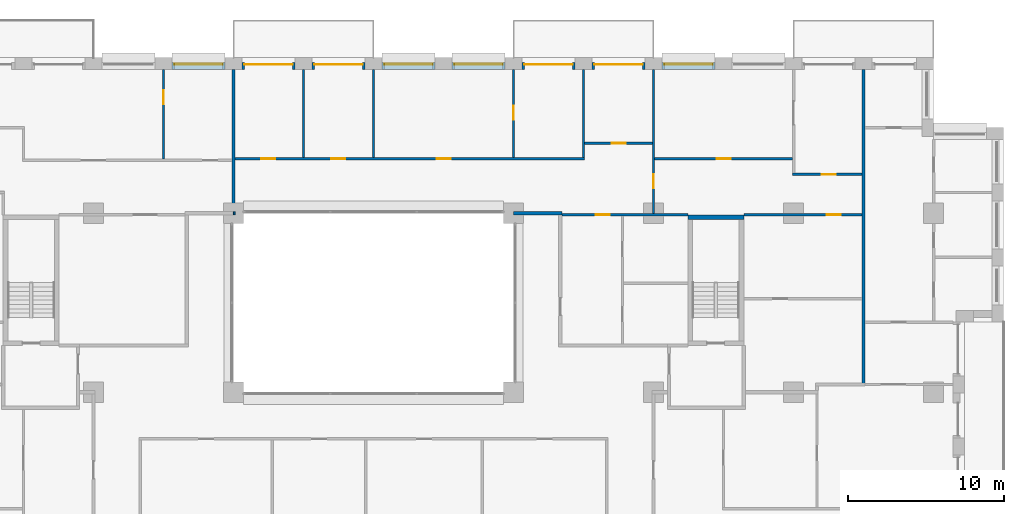
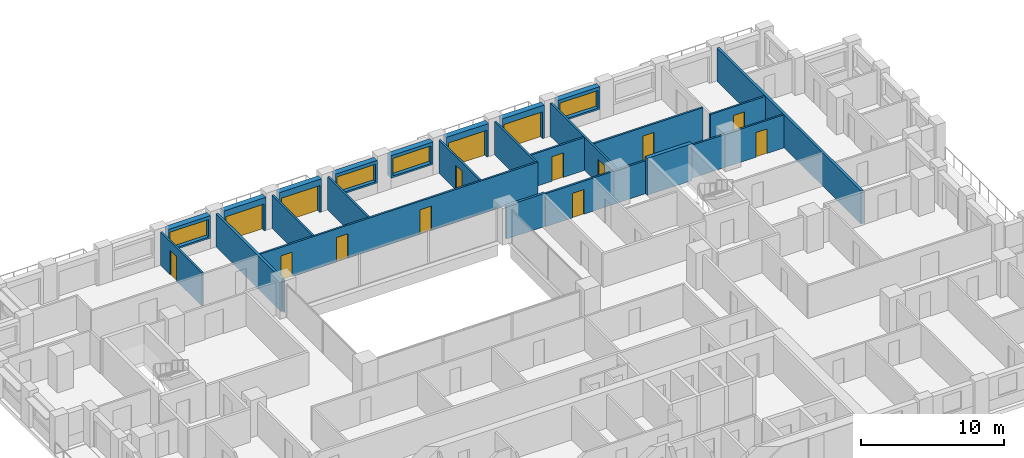
# One storey, part 13 of 17: 25 walls, 15 doors, 4 windows, 19 openings.
"""IFC4 building model written with IfcOpenShell, lengths in metres."""

from ifc_helpers import new_model, si_unit, direction, frame, frame_2d, origin, place, context, subcontext, project, spatial, rectangle, extrude, material, layer, layer_set, type_object, element, fill, save


model = new_model("IFC4")

# Units and contexts
model_context = context("Model", 3, precision=1e-05, world=origin(), true_north=direction((0.0, 1.0)))
body_context = subcontext(model_context, "Body", "Model", "MODEL_VIEW")
ifc_project = project(units=[si_unit("LENGTHUNIT", "METRE"), si_unit("AREAUNIT", "SQUARE_METRE"), si_unit("VOLUMEUNIT", "CUBIC_METRE"), si_unit("PLANEANGLEUNIT", "RADIAN"), si_unit("MASSUNIT", "GRAM", prefix="KILO")], contexts=[model_context])

# Site, building, storey
site_placement = place(None, origin())
site = spatial("IfcSite", under=ifc_project, at=site_placement, CompositionType="ELEMENT")
building_placement = place(site_placement, origin())
building = spatial("IfcBuilding", under=site, at=building_placement, Name="Brigalow Station Residences", CompositionType="ELEMENT")
storey_placement = place(building_placement, frame((0.0, 0.0, 111.89990234375)))
storey = spatial("IfcBuildingStorey", under=building, at=storey_placement, Name="L32", CompositionType="ELEMENT", Elevation=111.89990234375)

# Wall, opening, window
ifc_material_1 = material(Name="Clay brick masonry", Category="masonry")
ifc_layer_1 = layer(ifc_material_1, 0.449951171875)
ifc_layer_set_1 = layer_set([ifc_layer_1], Name="BRICK INFILL WALL 450")
wall_type_1 = type_object("IfcWallType", Name="BRICK INFILL WALL 450", PredefinedType="SOLIDWALL", material=ifc_layer_set_1)
wall_1_placement = place(storey_placement, frame((57.949951171875, 44.97509765625, 0.900146484375), z_axis=(0.0, 0.0, 1.0), x_axis=(-1.0, 0.0, 0.0)))
wall_1 = element("IfcWall", 1, at=wall_1_placement, inside=storey, type_object=wall_type_1, Name="L32/ewall/W-L32-26", PredefinedType="SOLIDWALL", context=body_context, shape_type="SweptSolid", body=[
    extrude(rectangle(XDim=3.39990234375, YDim=0.449951171875, at=frame_2d((1.699951171875, 0.0))), origin(), (0.0, 0.0, 1.0), 1.929931640625),
])
opening_1_placement = place(wall_1_placement, frame((0.14990234375, 0.0, 0.14990234375)))
opening_1 = element("IfcOpeningElement", 2, at=opening_1_placement, cuts=wall_1, Name="Opening WT-8", PredefinedType="OPENING", context=body_context, shape_type="SweptSolid", body=[
    extrude(rectangle(XDim=3.10009765625, YDim=1.5, at=frame_2d((1.550048828125, 0.75))), frame((0.0, 0.23486328125, 0.0), z_axis=(0.0, -1.0, 0.0), x_axis=(1.0, 0.0, 0.0)), (0.0, 0.0, 1.0), 0.469970703125),
])
ifc_material_2 = material(Name="Anodised aluminium frame with double glazing", Category="aluminium")
window_type = type_object("IfcWindowType", Name="WINDOW 3100x1500", PartitioningType="SINGLE_PANEL", PredefinedType="WINDOW", material=ifc_material_2)
window_1_placement = place(opening_1_placement, origin())
window_1 = element("IfcWindow", 3, at=window_1_placement, inside=storey, type_object=window_type, Name="L32/window/W-L32-26", OverallHeight=1.5, OverallWidth=3.10009765625, PartitioningType="SINGLE_PANEL", PredefinedType="WINDOW", context=body_context, shape_type="SweptSolid", body=[
    extrude(rectangle(XDim=3.10009765625, YDim=1.5, at=frame_2d((1.550048828125, 0.75))), frame((0.0, -0.06494140625, 0.0), z_axis=(0.0, -1.0, 0.0), x_axis=(1.0, 0.0, 0.0)), (0.0, 0.0, 1.0), 0.06005859375),
])
fill(opening_1, window_1)

# Wall, opening, door
wall_2_placement = place(storey_placement, frame((53.449951171875, 44.97509765625, 0.0), z_axis=(0.0, 0.0, 1.0), x_axis=(-1.0, 0.0, 0.0)))
wall_2 = element("IfcWall", 4, at=wall_2_placement, inside=storey, type_object=wall_type_1, Name="L32/ewall/W-L32-27", PredefinedType="SOLIDWALL", context=body_context, shape_type="SweptSolid", body=[
    extrude(rectangle(XDim=3.39990234375, YDim=0.449951171875, at=frame_2d((1.699951171875, 0.0))), origin(), (0.0, 0.0, 1.0), 2.830078125),
])
opening_2_placement = place(wall_2_placement, frame((0.14990234375, 0.0, 0.0)))
opening_2 = element("IfcOpeningElement", 5, at=opening_2_placement, cuts=wall_2, Name="Opening D-B3100", PredefinedType="OPENING", context=body_context, shape_type="SweptSolid", body=[
    extrude(rectangle(XDim=3.10009765625, YDim=2.300048828125, at=frame_2d((1.550048828125, 1.14990234375))), frame((0.0, 0.23486328125, 0.0), z_axis=(0.0, -1.0, 0.0), x_axis=(1.0, 0.0, 0.0)), (0.0, 0.0, 1.0), 0.469970703125),
])
ifc_material_3 = material(Name="Anodised aluminium frame with double glazing", Category="aluminium")
door_type_1 = type_object("IfcDoorType", Name="BALCONY SLIDING DOOR 3100x2300", OperationType="SLIDING_TO_LEFT", PredefinedType="DOOR", material=ifc_material_3)
door_1_placement = place(opening_2_placement, origin())
door_1 = element("IfcDoor", 6, at=door_1_placement, inside=storey, type_object=door_type_1, Name="L32/balcony-door/W-L32-27", OperationType="SLIDING_TO_LEFT", OverallHeight=2.300048828125, OverallWidth=3.10009765625, PredefinedType="DOOR", context=body_context, shape_type="SweptSolid", body=[
    extrude(rectangle(XDim=3.10009765625, YDim=2.300048828125, at=frame_2d((1.550048828125, 1.14990234375))), frame((0.0, -0.06982421875, 0.0), z_axis=(0.0, -1.0, 0.0), x_axis=(1.0, 0.0, 0.0)), (0.0, 0.0, 1.0), 0.050048828125),
])
fill(opening_2, door_1)

wall_3_placement = place(storey_placement, frame((48.949951171875, 44.97509765625, 0.0), z_axis=(0.0, 0.0, 1.0), x_axis=(-1.0, 0.0, 0.0)))
wall_3 = element("IfcWall", 7, at=wall_3_placement, inside=storey, type_object=wall_type_1, Name="L32/ewall/W-L32-28", PredefinedType="SOLIDWALL", context=body_context, shape_type="SweptSolid", body=[
    extrude(rectangle(XDim=3.39990234375, YDim=0.449951171875, at=frame_2d((1.699951171875, 0.0))), origin(), (0.0, 0.0, 1.0), 2.830078125),
])
opening_3_placement = place(wall_3_placement, frame((0.14990234375, 0.0, 0.0)))
opening_3 = element("IfcOpeningElement", 8, at=opening_3_placement, cuts=wall_3, Name="Opening D-B3100", PredefinedType="OPENING", context=body_context, shape_type="SweptSolid", body=[
    extrude(rectangle(XDim=3.10009765625, YDim=2.300048828125, at=frame_2d((1.550048828125, 1.14990234375))), frame((0.0, 0.23486328125, 0.0), z_axis=(0.0, -1.0, 0.0), x_axis=(1.0, 0.0, 0.0)), (0.0, 0.0, 1.0), 0.469970703125),
])
door_2_placement = place(opening_3_placement, origin())
door_2 = element("IfcDoor", 9, at=door_2_placement, inside=storey, type_object=door_type_1, Name="L32/balcony-door/W-L32-28", OperationType="SLIDING_TO_LEFT", OverallHeight=2.300048828125, OverallWidth=3.10009765625, PredefinedType="DOOR", context=body_context, shape_type="SweptSolid", body=[
    extrude(rectangle(XDim=3.10009765625, YDim=2.300048828125, at=frame_2d((1.550048828125, 1.14990234375))), frame((0.0, -0.06982421875, 0.0), z_axis=(0.0, -1.0, 0.0), x_axis=(1.0, 0.0, 0.0)), (0.0, 0.0, 1.0), 0.050048828125),
])
fill(opening_3, door_2)

# Wall, opening, window
wall_4_placement = place(storey_placement, frame((44.449951171875, 44.97509765625, 0.900146484375), z_axis=(0.0, 0.0, 1.0), x_axis=(-1.0, 0.0, 0.0)))
wall_4 = element("IfcWall", 10, at=wall_4_placement, inside=storey, type_object=wall_type_1, Name="L32/ewall/W-L32-29", PredefinedType="SOLIDWALL", context=body_context, shape_type="SweptSolid", body=[
    extrude(rectangle(XDim=3.39990234375, YDim=0.449951171875, at=frame_2d((1.699951171875, 0.0))), origin(), (0.0, 0.0, 1.0), 1.929931640625),
])
opening_4_placement = place(wall_4_placement, frame((0.14990234375, 0.0, 0.14990234375)))
opening_4 = element("IfcOpeningElement", 11, at=opening_4_placement, cuts=wall_4, Name="Opening WT-8", PredefinedType="OPENING", context=body_context, shape_type="SweptSolid", body=[
    extrude(rectangle(XDim=3.10009765625, YDim=1.5, at=frame_2d((1.550048828125, 0.75))), frame((0.0, 0.23486328125, 0.0), z_axis=(0.0, -1.0, 0.0), x_axis=(1.0, 0.0, 0.0)), (0.0, 0.0, 1.0), 0.469970703125),
])
window_2_placement = place(opening_4_placement, origin())
window_2 = element("IfcWindow", 12, at=window_2_placement, inside=storey, type_object=window_type, Name="L32/window/W-L32-29", OverallHeight=1.5, OverallWidth=3.10009765625, PartitioningType="SINGLE_PANEL", PredefinedType="WINDOW", context=body_context, shape_type="SweptSolid", body=[
    extrude(rectangle(XDim=3.10009765625, YDim=1.5, at=frame_2d((1.550048828125, 0.75))), frame((0.0, -0.06494140625, 0.0), z_axis=(0.0, -1.0, 0.0), x_axis=(1.0, 0.0, 0.0)), (0.0, 0.0, 1.0), 0.06005859375),
])
fill(opening_4, window_2)

wall_5_placement = place(storey_placement, frame((39.949951171875, 44.97509765625, 0.900146484375), z_axis=(0.0, 0.0, 1.0), x_axis=(-1.0, 0.0, 0.0)))
wall_5 = element("IfcWall", 13, at=wall_5_placement, inside=storey, type_object=wall_type_1, Name="L32/ewall/W-L32-30", PredefinedType="SOLIDWALL", context=body_context, shape_type="SweptSolid", body=[
    extrude(rectangle(XDim=3.39990234375, YDim=0.449951171875, at=frame_2d((1.699951171875, 0.0))), origin(), (0.0, 0.0, 1.0), 1.929931640625),
])
opening_5_placement = place(wall_5_placement, frame((0.14990234375, 0.0, 0.14990234375)))
opening_5 = element("IfcOpeningElement", 14, at=opening_5_placement, cuts=wall_5, Name="Opening WT-8", PredefinedType="OPENING", context=body_context, shape_type="SweptSolid", body=[
    extrude(rectangle(XDim=3.10009765625, YDim=1.5, at=frame_2d((1.550048828125, 0.75))), frame((0.0, 0.23486328125, 0.0), z_axis=(0.0, -1.0, 0.0), x_axis=(1.0, 0.0, 0.0)), (0.0, 0.0, 1.0), 0.469970703125),
])
window_3_placement = place(opening_5_placement, origin())
window_3 = element("IfcWindow", 15, at=window_3_placement, inside=storey, type_object=window_type, Name="L32/window/W-L32-30", OverallHeight=1.5, OverallWidth=3.10009765625, PartitioningType="SINGLE_PANEL", PredefinedType="WINDOW", context=body_context, shape_type="SweptSolid", body=[
    extrude(rectangle(XDim=3.10009765625, YDim=1.5, at=frame_2d((1.550048828125, 0.75))), frame((0.0, -0.06494140625, 0.0), z_axis=(0.0, -1.0, 0.0), x_axis=(1.0, 0.0, 0.0)), (0.0, 0.0, 1.0), 0.06005859375),
])
fill(opening_5, window_3)

# Wall, opening, door
wall_6_placement = place(storey_placement, frame((35.449951171875, 44.97509765625, 0.0), z_axis=(0.0, 0.0, 1.0), x_axis=(-1.0, 0.0, 0.0)))
wall_6 = element("IfcWall", 16, at=wall_6_placement, inside=storey, type_object=wall_type_1, Name="L32/ewall/W-L32-31", PredefinedType="SOLIDWALL", context=body_context, shape_type="SweptSolid", body=[
    extrude(rectangle(XDim=3.39990234375, YDim=0.449951171875, at=frame_2d((1.699951171875, 0.0))), origin(), (0.0, 0.0, 1.0), 2.830078125),
])
opening_6_placement = place(wall_6_placement, frame((0.14990234375, 0.0, 0.0)))
opening_6 = element("IfcOpeningElement", 17, at=opening_6_placement, cuts=wall_6, Name="Opening D-B3100", PredefinedType="OPENING", context=body_context, shape_type="SweptSolid", body=[
    extrude(rectangle(XDim=3.10009765625, YDim=2.300048828125, at=frame_2d((1.550048828125, 1.14990234375))), frame((0.0, 0.23486328125, 0.0), z_axis=(0.0, -1.0, 0.0), x_axis=(1.0, 0.0, 0.0)), (0.0, 0.0, 1.0), 0.469970703125),
])
door_3_placement = place(opening_6_placement, origin())
door_3 = element("IfcDoor", 18, at=door_3_placement, inside=storey, type_object=door_type_1, Name="L32/balcony-door/W-L32-31", OperationType="SLIDING_TO_LEFT", OverallHeight=2.300048828125, OverallWidth=3.10009765625, PredefinedType="DOOR", context=body_context, shape_type="SweptSolid", body=[
    extrude(rectangle(XDim=3.10009765625, YDim=2.300048828125, at=frame_2d((1.550048828125, 1.14990234375))), frame((0.0, -0.06982421875, 0.0), z_axis=(0.0, -1.0, 0.0), x_axis=(1.0, 0.0, 0.0)), (0.0, 0.0, 1.0), 0.050048828125),
])
fill(opening_6, door_3)

wall_7_placement = place(storey_placement, frame((30.949951171875, 44.97509765625, 0.0), z_axis=(0.0, 0.0, 1.0), x_axis=(-1.0, 0.0, 0.0)))
wall_7 = element("IfcWall", 19, at=wall_7_placement, inside=storey, type_object=wall_type_1, Name="L32/ewall/W-L32-32", PredefinedType="SOLIDWALL", context=body_context, shape_type="SweptSolid", body=[
    extrude(rectangle(XDim=3.39990234375, YDim=0.449951171875, at=frame_2d((1.699951171875, 0.0))), origin(), (0.0, 0.0, 1.0), 2.830078125),
])
opening_7_placement = place(wall_7_placement, frame((0.14990234375, 0.0, 0.0)))
opening_7 = element("IfcOpeningElement", 20, at=opening_7_placement, cuts=wall_7, Name="Opening D-B3100", PredefinedType="OPENING", context=body_context, shape_type="SweptSolid", body=[
    extrude(rectangle(XDim=3.10009765625, YDim=2.300048828125, at=frame_2d((1.550048828125, 1.14990234375))), frame((0.0, 0.23486328125, 0.0), z_axis=(0.0, -1.0, 0.0), x_axis=(1.0, 0.0, 0.0)), (0.0, 0.0, 1.0), 0.469970703125),
])
door_4_placement = place(opening_7_placement, origin())
door_4 = element("IfcDoor", 21, at=door_4_placement, inside=storey, type_object=door_type_1, Name="L32/balcony-door/W-L32-32", OperationType="SLIDING_TO_LEFT", OverallHeight=2.300048828125, OverallWidth=3.10009765625, PredefinedType="DOOR", context=body_context, shape_type="SweptSolid", body=[
    extrude(rectangle(XDim=3.10009765625, YDim=2.300048828125, at=frame_2d((1.550048828125, 1.14990234375))), frame((0.0, -0.06982421875, 0.0), z_axis=(0.0, -1.0, 0.0), x_axis=(1.0, 0.0, 0.0)), (0.0, 0.0, 1.0), 0.050048828125),
])
fill(opening_7, door_4)

# Wall, opening, window
wall_8_placement = place(storey_placement, frame((26.449951171875, 44.97509765625, 0.900146484375), z_axis=(0.0, 0.0, 1.0), x_axis=(-1.0, 0.0, 0.0)))
wall_8 = element("IfcWall", 22, at=wall_8_placement, inside=storey, type_object=wall_type_1, Name="L32/ewall/W-L32-33", PredefinedType="SOLIDWALL", context=body_context, shape_type="SweptSolid", body=[
    extrude(rectangle(XDim=3.39990234375, YDim=0.449951171875, at=frame_2d((1.699951171875, 0.0))), origin(), (0.0, 0.0, 1.0), 1.929931640625),
])
opening_8_placement = place(wall_8_placement, frame((0.14990234375, 0.0, 0.14990234375)))
opening_8 = element("IfcOpeningElement", 23, at=opening_8_placement, cuts=wall_8, Name="Opening WT-8", PredefinedType="OPENING", context=body_context, shape_type="SweptSolid", body=[
    extrude(rectangle(XDim=3.10009765625, YDim=1.5, at=frame_2d((1.550048828125, 0.75))), frame((0.0, 0.23486328125, 0.0), z_axis=(0.0, -1.0, 0.0), x_axis=(1.0, 0.0, 0.0)), (0.0, 0.0, 1.0), 0.469970703125),
])
window_4_placement = place(opening_8_placement, origin())
window_4 = element("IfcWindow", 24, at=window_4_placement, inside=storey, type_object=window_type, Name="L32/window/W-L32-33", OverallHeight=1.5, OverallWidth=3.10009765625, PartitioningType="SINGLE_PANEL", PredefinedType="WINDOW", context=body_context, shape_type="SweptSolid", body=[
    extrude(rectangle(XDim=3.10009765625, YDim=1.5, at=frame_2d((1.550048828125, 0.75))), frame((0.0, -0.06494140625, 0.0), z_axis=(0.0, -1.0, 0.0), x_axis=(1.0, 0.0, 0.0)), (0.0, 0.0, 1.0), 0.06005859375),
])
fill(opening_8, window_4)

# Wall
ifc_material_4 = material(Name="Concrete C65", Category="concrete")
ifc_layer_2 = layer(ifc_material_4, 0.300048828125)
ifc_layer_set_2 = layer_set([ifc_layer_2], Name="CORE SHEAR WALL 300 C65")
wall_type_2 = type_object("IfcWallType", Name="CORE SHEAR WALL 300 C65", PredefinedType="SHEAR", material=ifc_layer_set_2)
wall_9_placement = place(storey_placement, frame((56.199951171875, 35.25, 0.0), z_axis=(0.0, 0.0, 1.0), x_axis=(1.0, 0.0, 0.0)))
element("IfcWall", 25, at=wall_9_placement, inside=storey, type_object=wall_type_2, Name="CORE WALL ST-S3-N L32", PredefinedType="SHEAR", context=body_context, shape_type="SweptSolid", body=[
    extrude(rectangle(XDim=3.60009765625, YDim=0.300048828125, at=frame_2d((1.800048828125, 0.0))), origin(), (0.0, 0.0, 1.0), 3.150146484375),
])

# Wall, opening, door
ifc_material_5 = material(Name="Plasterboard on steel stud partition", Category="steel")
ifc_layer_3 = layer(ifc_material_5, 0.14990234375)
ifc_layer_set_3 = layer_set([ifc_layer_3], Name="FLAT PARTITION 150")
wall_type_3 = type_object("IfcWallType", Name="FLAT PARTITION 150", PredefinedType="PARTITIONING", material=ifc_layer_set_3)
wall_10_placement = place(storey_placement, frame((48.10009765625, 35.39990234375, 0.0), z_axis=(0.0, 0.0, 1.0), x_axis=(1.0, 0.0, 0.0)))
wall_10 = element("IfcWall", 26, at=wall_10_placement, inside=storey, type_object=wall_type_3, Name="PW-2D25", PredefinedType="PARTITIONING", context=body_context, shape_type="SweptSolid", body=[
    extrude(rectangle(XDim=8.099853515625, YDim=0.14990234375, at=frame_2d((4.0498046875, 0.0))), origin(), (0.0, 0.0, 1.0), 2.830078125),
])
opening_9_placement = place(wall_10_placement, frame((2.199951171875, 0.0, 0.0)))
opening_9 = element("IfcOpeningElement", 27, at=opening_9_placement, cuts=wall_10, Name="Opening D-2D20", PredefinedType="OPENING", context=body_context, shape_type="SweptSolid", body=[
    extrude(rectangle(XDim=0.89990234375, YDim=2.10009765625, at=frame_2d((0.449951171875, 1.050048828125))), frame((0.0, 0.0849609375, 0.0), z_axis=(0.0, -1.0, 0.0), x_axis=(1.0, 0.0, 0.0)), (0.0, 0.0, 1.0), 0.169921875),
])
ifc_material_6 = material(Name="Solid-core timber door leaf", Category="wood")
door_type_2 = type_object("IfcDoorType", Name="INTERNAL DOOR 900 x 2100", OperationType="SINGLE_SWING_LEFT", PredefinedType="DOOR", material=ifc_material_6)
door_5_placement = place(opening_9_placement, frame((0.89990234375, 0.0, 0.0), z_axis=(0.0, 0.0, 1.0), x_axis=(-1.0, 0.0, 0.0)))
door_5 = element("IfcDoor", 28, at=door_5_placement, inside=storey, type_object=door_type_2, Name="D-2D20", OperationType="SINGLE_SWING_LEFT", OverallHeight=2.10009765625, OverallWidth=0.89990234375, PredefinedType="DOOR", context=body_context, shape_type="SweptSolid", body=[
    extrude(rectangle(XDim=0.89990234375, YDim=2.10009765625, at=frame_2d((0.449951171875, 1.050048828125))), frame((0.0, 0.02490234375, 0.0), z_axis=(0.0, -1.0, 0.0), x_axis=(1.0, 0.0, 0.0)), (0.0, 0.0, 1.0), 0.050048828125),
])
fill(opening_9, door_5)

wall_11_placement = place(storey_placement, frame((59.800048828125, 35.39990234375, 0.0), z_axis=(0.0, 0.0, 1.0), x_axis=(1.0, 0.0, 0.0)))
wall_11 = element("IfcWall", 29, at=wall_11_placement, inside=storey, type_object=wall_type_3, Name="PW-2D26", PredefinedType="PARTITIONING", context=body_context, shape_type="SweptSolid", body=[
    extrude(rectangle(XDim=7.599853515625, YDim=0.14990234375, at=frame_2d((3.7998046875, 0.0))), origin(), (0.0, 0.0, 1.0), 2.830078125),
])
opening_10_placement = place(wall_11_placement, frame((5.324951171875, 0.0, 0.0)))
opening_10 = element("IfcOpeningElement", 30, at=opening_10_placement, cuts=wall_11, Name="Opening D-2D30", PredefinedType="OPENING", context=body_context, shape_type="SweptSolid", body=[
    extrude(rectangle(XDim=0.89990234375, YDim=2.10009765625, at=frame_2d((0.449951171875, 1.050048828125))), frame((0.0, 0.0849609375, 0.0), z_axis=(0.0, -1.0, 0.0), x_axis=(1.0, 0.0, 0.0)), (0.0, 0.0, 1.0), 0.169921875),
])
door_6_placement = place(opening_10_placement, frame((0.89990234375, 0.0, 0.0), z_axis=(0.0, 0.0, 1.0), x_axis=(-1.0, 0.0, 0.0)))
door_6 = element("IfcDoor", 31, at=door_6_placement, inside=storey, type_object=door_type_2, Name="D-2D30", OperationType="SINGLE_SWING_LEFT", OverallHeight=2.10009765625, OverallWidth=0.89990234375, PredefinedType="DOOR", context=body_context, shape_type="SweptSolid", body=[
    extrude(rectangle(XDim=0.89990234375, YDim=2.10009765625, at=frame_2d((0.449951171875, 1.050048828125))), frame((0.0, 0.02490234375, 0.0), z_axis=(0.0, -1.0, 0.0), x_axis=(1.0, 0.0, 0.0)), (0.0, 0.0, 1.0), 0.050048828125),
])
fill(opening_10, door_6)

# Wall, openings, doors
wall_12_placement = place(storey_placement, frame((27.10009765625, 39.0, 0.0), z_axis=(0.0, 0.0, 1.0), x_axis=(1.0, 0.0, 0.0)))
wall_12 = element("IfcWall", 32, at=wall_12_placement, inside=storey, type_object=wall_type_3, Name="PW-2D30", PredefinedType="PARTITIONING", context=body_context, shape_type="SweptSolid", body=[
    extrude(rectangle(XDim=22.474853515625, YDim=0.14990234375, at=frame_2d((11.2373046875, 0.0))), origin(), (0.0, 0.0, 1.0), 2.830078125),
])
opening_11_placement = place(wall_12_placement, frame((1.699951171875, 0.0, 0.0)))
opening_11 = element("IfcOpeningElement", 33, at=opening_11_placement, cuts=wall_12, Name="Opening D-2D21", PredefinedType="OPENING", context=body_context, shape_type="SweptSolid", body=[
    extrude(rectangle(XDim=0.89990234375, YDim=2.10009765625, at=frame_2d((0.449951171875, 1.050048828125))), frame((0.0, 0.0849609375, 0.0), z_axis=(0.0, -1.0, 0.0), x_axis=(1.0, 0.0, 0.0)), (0.0, 0.0, 1.0), 0.169921875),
])
opening_12_placement = place(wall_12_placement, frame((6.199951171875, 0.0, 0.0)))
opening_12 = element("IfcOpeningElement", 34, at=opening_12_placement, cuts=wall_12, Name="Opening D-2D22", PredefinedType="OPENING", context=body_context, shape_type="SweptSolid", body=[
    extrude(rectangle(XDim=0.89990234375, YDim=2.10009765625, at=frame_2d((0.449951171875, 1.050048828125))), frame((0.0, 0.0849609375, 0.0), z_axis=(0.0, -1.0, 0.0), x_axis=(1.0, 0.0, 0.0)), (0.0, 0.0, 1.0), 0.169921875),
])
opening_13_placement = place(wall_12_placement, frame((12.949951171875, 0.0, 0.0)))
opening_13 = element("IfcOpeningElement", 35, at=opening_13_placement, cuts=wall_12, Name="Opening D-2D23", PredefinedType="OPENING", context=body_context, shape_type="SweptSolid", body=[
    extrude(rectangle(XDim=0.89990234375, YDim=2.10009765625, at=frame_2d((0.449951171875, 1.050048828125))), frame((0.0, 0.0849609375, 0.0), z_axis=(0.0, -1.0, 0.0), x_axis=(1.0, 0.0, 0.0)), (0.0, 0.0, 1.0), 0.169921875),
])
door_7_placement = place(opening_11_placement, origin())
door_7 = element("IfcDoor", 36, at=door_7_placement, inside=storey, type_object=door_type_2, Name="D-2D21", OperationType="SINGLE_SWING_LEFT", OverallHeight=2.10009765625, OverallWidth=0.89990234375, PredefinedType="DOOR", context=body_context, shape_type="SweptSolid", body=[
    extrude(rectangle(XDim=0.89990234375, YDim=2.10009765625, at=frame_2d((0.449951171875, 1.050048828125))), frame((0.0, 0.02490234375, 0.0), z_axis=(0.0, -1.0, 0.0), x_axis=(1.0, 0.0, 0.0)), (0.0, 0.0, 1.0), 0.050048828125),
])
fill(opening_11, door_7)
door_8_placement = place(opening_12_placement, origin())
door_8 = element("IfcDoor", 37, at=door_8_placement, inside=storey, type_object=door_type_2, Name="D-2D22", OperationType="SINGLE_SWING_RIGHT", OverallHeight=2.10009765625, OverallWidth=0.89990234375, PredefinedType="DOOR", context=body_context, shape_type="SweptSolid", body=[
    extrude(rectangle(XDim=0.89990234375, YDim=2.10009765625, at=frame_2d((0.449951171875, 1.050048828125))), frame((0.0, 0.02490234375, 0.0), z_axis=(0.0, -1.0, 0.0), x_axis=(1.0, 0.0, 0.0)), (0.0, 0.0, 1.0), 0.050048828125),
])
fill(opening_12, door_8)
door_9_placement = place(opening_13_placement, origin())
door_9 = element("IfcDoor", 38, at=door_9_placement, inside=storey, type_object=door_type_2, Name="D-2D23", OperationType="SINGLE_SWING_RIGHT", OverallHeight=2.10009765625, OverallWidth=0.89990234375, PredefinedType="DOOR", context=body_context, shape_type="SweptSolid", body=[
    extrude(rectangle(XDim=0.89990234375, YDim=2.10009765625, at=frame_2d((0.449951171875, 1.050048828125))), frame((0.0, 0.02490234375, 0.0), z_axis=(0.0, -1.0, 0.0), x_axis=(1.0, 0.0, 0.0)), (0.0, 0.0, 1.0), 0.050048828125),
])
fill(opening_13, door_9)

# Wall, opening, door
wall_13_placement = place(storey_placement, frame((54.074951171875, 39.0, 0.0), z_axis=(0.0, 0.0, 1.0), x_axis=(1.0, 0.0, 0.0)))
wall_13 = element("IfcWall", 39, at=wall_13_placement, inside=storey, type_object=wall_type_3, Name="PW-2D31", PredefinedType="PARTITIONING", context=body_context, shape_type="SweptSolid", body=[
    extrude(rectangle(XDim=8.85009765625, YDim=0.14990234375, at=frame_2d((4.425048828125, 0.0))), origin(), (0.0, 0.0, 1.0), 2.830078125),
])
opening_14_placement = place(wall_13_placement, frame((3.97509765625, 0.0, 0.0)))
opening_14 = element("IfcOpeningElement", 40, at=opening_14_placement, cuts=wall_13, Name="Opening D-2D27", PredefinedType="OPENING", context=body_context, shape_type="SweptSolid", body=[
    extrude(rectangle(XDim=0.89990234375, YDim=2.10009765625, at=frame_2d((0.449951171875, 1.050048828125))), frame((0.0, 0.0849609375, 0.0), z_axis=(0.0, -1.0, 0.0), x_axis=(1.0, 0.0, 0.0)), (0.0, 0.0, 1.0), 0.169921875),
])
door_10_placement = place(opening_14_placement, frame((0.89990234375, 0.0, 0.0), z_axis=(0.0, 0.0, 1.0), x_axis=(-1.0, 0.0, 0.0)))
door_10 = element("IfcDoor", 41, at=door_10_placement, inside=storey, type_object=door_type_2, Name="D-2D27", OperationType="SINGLE_SWING_LEFT", OverallHeight=2.10009765625, OverallWidth=0.89990234375, PredefinedType="DOOR", context=body_context, shape_type="SweptSolid", body=[
    extrude(rectangle(XDim=0.89990234375, YDim=2.10009765625, at=frame_2d((0.449951171875, 1.050048828125))), frame((0.0, 0.02490234375, 0.0), z_axis=(0.0, -1.0, 0.0), x_axis=(1.0, 0.0, 0.0)), (0.0, 0.0, 1.0), 0.050048828125),
])
fill(opening_14, door_10)

wall_14_placement = place(storey_placement, frame((49.574951171875, 40.0, 0.0), z_axis=(0.0, 0.0, 1.0), x_axis=(1.0, 0.0, 0.0)))
wall_14 = element("IfcWall", 42, at=wall_14_placement, inside=storey, type_object=wall_type_3, Name="PW-2D32", PredefinedType="PARTITIONING", context=body_context, shape_type="SweptSolid", body=[
    extrude(rectangle(XDim=4.35009765625, YDim=0.14990234375, at=frame_2d((2.175048828125, 0.0))), origin(), (0.0, 0.0, 1.0), 2.830078125),
])
opening_15_placement = place(wall_14_placement, frame((1.72509765625, 0.0, 0.0)))
opening_15 = element("IfcOpeningElement", 43, at=opening_15_placement, cuts=wall_14, Name="Opening D-2D25", PredefinedType="OPENING", context=body_context, shape_type="SweptSolid", body=[
    extrude(rectangle(XDim=0.89990234375, YDim=2.10009765625, at=frame_2d((0.449951171875, 1.050048828125))), frame((0.0, 0.0849609375, 0.0), z_axis=(0.0, -1.0, 0.0), x_axis=(1.0, 0.0, 0.0)), (0.0, 0.0, 1.0), 0.169921875),
])
door_11_placement = place(opening_15_placement, origin())
door_11 = element("IfcDoor", 44, at=door_11_placement, inside=storey, type_object=door_type_2, Name="D-2D25", OperationType="SINGLE_SWING_RIGHT", OverallHeight=2.10009765625, OverallWidth=0.89990234375, PredefinedType="DOOR", context=body_context, shape_type="SweptSolid", body=[
    extrude(rectangle(XDim=0.89990234375, YDim=2.10009765625, at=frame_2d((0.449951171875, 1.050048828125))), frame((0.0, 0.02490234375, 0.0), z_axis=(0.0, -1.0, 0.0), x_axis=(1.0, 0.0, 0.0)), (0.0, 0.0, 1.0), 0.050048828125),
])
fill(opening_15, door_11)

wall_15_placement = place(storey_placement, frame((62.925048828125, 38.0, 0.0), z_axis=(0.0, 0.0, 1.0), x_axis=(1.0, 0.0, 0.0)))
wall_15 = element("IfcWall", 45, at=wall_15_placement, inside=storey, type_object=wall_type_3, Name="PW-2D33", PredefinedType="PARTITIONING", context=body_context, shape_type="SweptSolid", body=[
    extrude(rectangle(XDim=4.474853515625, YDim=0.14990234375, at=frame_2d((2.2373046875, 0.0))), origin(), (0.0, 0.0, 1.0), 2.830078125),
])
opening_16_placement = place(wall_15_placement, frame((1.875, 0.0, 0.0)))
opening_16 = element("IfcOpeningElement", 46, at=opening_16_placement, cuts=wall_15, Name="Opening D-2D28", PredefinedType="OPENING", context=body_context, shape_type="SweptSolid", body=[
    extrude(rectangle(XDim=0.89990234375, YDim=2.10009765625, at=frame_2d((0.449951171875, 1.050048828125))), frame((0.0, 0.0849609375, 0.0), z_axis=(0.0, -1.0, 0.0), x_axis=(1.0, 0.0, 0.0)), (0.0, 0.0, 1.0), 0.169921875),
])
door_12_placement = place(opening_16_placement, origin())
door_12 = element("IfcDoor", 47, at=door_12_placement, inside=storey, type_object=door_type_2, Name="D-2D28", OperationType="SINGLE_SWING_RIGHT", OverallHeight=2.10009765625, OverallWidth=0.89990234375, PredefinedType="DOOR", context=body_context, shape_type="SweptSolid", body=[
    extrude(rectangle(XDim=0.89990234375, YDim=2.10009765625, at=frame_2d((0.449951171875, 1.050048828125))), frame((0.0, 0.02490234375, 0.0), z_axis=(0.0, -1.0, 0.0), x_axis=(1.0, 0.0, 0.0)), (0.0, 0.0, 1.0), 0.050048828125),
])
fill(opening_16, door_12)

wall_16_placement = place(storey_placement, frame((54.0, 35.47509765625, 0.0), z_axis=(0.0, 0.0, 1.0), x_axis=(0.0, 1.0, 0.0)))
wall_16 = element("IfcWall", 48, at=wall_16_placement, inside=storey, type_object=wall_type_3, Name="PW-2D39", PredefinedType="PARTITIONING", context=body_context, shape_type="SweptSolid", body=[
    extrude(rectangle(XDim=9.27490234375, YDim=0.14990234375, at=frame_2d((4.637451171875, 0.0))), origin(), (0.0, 0.0, 1.0), 2.830078125),
])
opening_17_placement = place(wall_16_placement, frame((1.64990234375, 0.0, 0.0)))
opening_17 = element("IfcOpeningElement", 49, at=opening_17_placement, cuts=wall_16, Name="Opening D-2D26", PredefinedType="OPENING", context=body_context, shape_type="SweptSolid", body=[
    extrude(rectangle(XDim=0.89990234375, YDim=2.10009765625, at=frame_2d((0.449951171875, 1.050048828125))), frame((0.0, 0.0849609375, 0.0), z_axis=(0.0, -1.0, 0.0), x_axis=(1.0, 0.0, 0.0)), (0.0, 0.0, 1.0), 0.169921875),
])
door_13_placement = place(opening_17_placement, frame((0.89990234375, 0.0, 0.0), z_axis=(0.0, 0.0, 1.0), x_axis=(-1.0, 0.0, 0.0)))
door_13 = element("IfcDoor", 50, at=door_13_placement, inside=storey, type_object=door_type_2, Name="D-2D26", OperationType="SINGLE_SWING_LEFT", OverallHeight=2.10009765625, OverallWidth=0.89990234375, PredefinedType="DOOR", context=body_context, shape_type="SweptSolid", body=[
    extrude(rectangle(XDim=0.89990234375, YDim=2.10009765625, at=frame_2d((0.449951171875, 1.050048828125))), frame((0.0, 0.02490234375, 0.0), z_axis=(0.0, -1.0, 0.0), x_axis=(1.0, 0.0, 0.0)), (0.0, 0.0, 1.0), 0.050048828125),
])
fill(opening_17, door_13)

wall_17_placement = place(storey_placement, frame((22.5, 38.97509765625, 0.0), z_axis=(0.0, 0.0, 1.0), x_axis=(0.0, 1.0, 0.0)))
wall_17 = element("IfcWall", 51, at=wall_17_placement, inside=storey, type_object=wall_type_3, Name="PW-2D52", PredefinedType="PARTITIONING", context=body_context, shape_type="SweptSolid", body=[
    extrude(rectangle(XDim=5.77490234375, YDim=0.14990234375, at=frame_2d((2.887451171875, 0.0))), origin(), (0.0, 0.0, 1.0), 2.830078125),
])
opening_18_placement = place(wall_17_placement, frame((3.52490234375, 0.0, 0.0)))
opening_18 = element("IfcOpeningElement", 52, at=opening_18_placement, cuts=wall_17, Name="Opening D-2D14", PredefinedType="OPENING", context=body_context, shape_type="SweptSolid", body=[
    extrude(rectangle(XDim=0.89990234375, YDim=2.10009765625, at=frame_2d((0.449951171875, 1.050048828125))), frame((0.0, 0.0849609375, 0.0), z_axis=(0.0, -1.0, 0.0), x_axis=(1.0, 0.0, 0.0)), (0.0, 0.0, 1.0), 0.169921875),
])
door_14_placement = place(opening_18_placement, frame((0.89990234375, 0.0, 0.0), z_axis=(0.0, 0.0, 1.0), x_axis=(-1.0, 0.0, 0.0)))
door_14 = element("IfcDoor", 53, at=door_14_placement, inside=storey, type_object=door_type_2, Name="D-2D14", OperationType="SINGLE_SWING_LEFT", OverallHeight=2.10009765625, OverallWidth=0.89990234375, PredefinedType="DOOR", context=body_context, shape_type="SweptSolid", body=[
    extrude(rectangle(XDim=0.89990234375, YDim=2.10009765625, at=frame_2d((0.449951171875, 1.050048828125))), frame((0.0, 0.02490234375, 0.0), z_axis=(0.0, -1.0, 0.0), x_axis=(1.0, 0.0, 0.0)), (0.0, 0.0, 1.0), 0.050048828125),
])
fill(opening_18, door_14)

# Walls
for number, where, z_axis, x_axis, name in (
    (54, (49.5, 39.074951171875, 0.0), (0.0, 0.0, 1.0), (0.0, 1.0, 0.0), "PW-2D54"),
    (55, (31.5, 39.074951171875, 0.0), (0.0, 0.0, 1.0), (0.0, 1.0, 0.0), "PW-2D55"),
    (56, (36.0, 39.074951171875, 0.0), (0.0, 0.0, 1.0), (0.0, 1.0, 0.0), "PW-2D56"),
):
    element("IfcWall", number, at=place(storey_placement, frame(where, z_axis=z_axis, x_axis=x_axis)), inside=storey, type_object=wall_type_3, Name=name, PredefinedType="PARTITIONING", context=body_context, shape_type="SweptSolid", body=[
        extrude(rectangle(XDim=5.675048828125, YDim=0.14990234375, at=frame_2d((2.83740234375, 0.0))), origin(), (0.0, 0.0, 1.0), 2.830078125),
    ])

# Wall, opening, door
wall_18_placement = place(storey_placement, frame((45.0, 39.074951171875, 0.0), z_axis=(0.0, 0.0, 1.0), x_axis=(0.0, 1.0, 0.0)))
wall_18 = element("IfcWall", 57, at=wall_18_placement, inside=storey, type_object=wall_type_3, Name="PW-2D57", PredefinedType="PARTITIONING", context=body_context, shape_type="SweptSolid", body=[
    extrude(rectangle(XDim=5.675048828125, YDim=0.14990234375, at=frame_2d((2.83740234375, 0.0))), origin(), (0.0, 0.0, 1.0), 2.830078125),
])
opening_19_placement = place(wall_18_placement, frame((2.425048828125, 0.0, 0.0)))
opening_19 = element("IfcOpeningElement", 58, at=opening_19_placement, cuts=wall_18, Name="Opening D-2D24", PredefinedType="OPENING", context=body_context, shape_type="SweptSolid", body=[
    extrude(rectangle(XDim=0.89990234375, YDim=2.10009765625, at=frame_2d((0.449951171875, 1.050048828125))), frame((0.0, 0.0849609375, 0.0), z_axis=(0.0, -1.0, 0.0), x_axis=(1.0, 0.0, 0.0)), (0.0, 0.0, 1.0), 0.169921875),
])
door_15_placement = place(opening_19_placement, frame((0.89990234375, 0.0, 0.0), z_axis=(0.0, 0.0, 1.0), x_axis=(-1.0, 0.0, 0.0)))
door_15 = element("IfcDoor", 59, at=door_15_placement, inside=storey, type_object=door_type_2, Name="D-2D24", OperationType="SINGLE_SWING_LEFT", OverallHeight=2.10009765625, OverallWidth=0.89990234375, PredefinedType="DOOR", context=body_context, shape_type="SweptSolid", body=[
    extrude(rectangle(XDim=0.89990234375, YDim=2.10009765625, at=frame_2d((0.449951171875, 1.050048828125))), frame((0.0, 0.02490234375, 0.0), z_axis=(0.0, -1.0, 0.0), x_axis=(1.0, 0.0, 0.0)), (0.0, 0.0, 1.0), 0.050048828125),
])
fill(opening_19, door_15)

# Walls
ifc_material_7 = material(Name="Plasterboard on steel stud partition", Category="steel")
ifc_layer_4 = layer(ifc_material_7, 0.199951171875)
ifc_layer_set_4 = layer_set([ifc_layer_4], Name="PARTY AND CORRIDOR WALL 200")
wall_type_4 = type_object("IfcWallType", Name="PARTY AND CORRIDOR WALL 200", PredefinedType="PARTITIONING", material=ifc_layer_set_4)
wall_19_placement = place(storey_placement, frame((27.0, 35.5, 0.0), z_axis=(0.0, 0.0, 1.0), x_axis=(1.0, 0.0, 0.0)))
element("IfcWall", 60, at=wall_19_placement, inside=storey, type_object=wall_type_4, Name="PW-2D08", PredefinedType="PARTITIONING", context=body_context, shape_type="SweptSolid", body=[
    extrude(rectangle(XDim=0.10009765625, YDim=0.199951171875, at=frame_2d((0.050048828125, 0.0))), origin(), (0.0, 0.0, 1.0), 2.830078125),
])
wall_20_placement = place(storey_placement, frame((45.0, 35.5, 0.0), z_axis=(0.0, 0.0, 1.0), x_axis=(1.0, 0.0, 0.0)))
element("IfcWall", 61, at=wall_20_placement, inside=storey, type_object=wall_type_4, Name="PW-2D09", PredefinedType="PARTITIONING", context=body_context, shape_type="SweptSolid", body=[
    extrude(rectangle(XDim=3.10009765625, YDim=0.199951171875, at=frame_2d((1.550048828125, 0.0))), origin(), (0.0, 0.0, 1.0), 2.830078125),
])
wall_21_placement = place(storey_placement, frame((27.0, 35.60009765625, 0.0), z_axis=(0.0, 0.0, 1.0), x_axis=(0.0, 1.0, 0.0)))
element("IfcWall", 62, at=wall_21_placement, inside=storey, type_object=wall_type_4, Name="PW-2D51", PredefinedType="PARTITIONING", context=body_context, shape_type="SweptSolid", body=[
    extrude(rectangle(XDim=9.14990234375, YDim=0.199951171875, at=frame_2d((4.574951171875, 0.0))), origin(), (0.0, 0.0, 1.0), 2.830078125),
])
wall_22_placement = place(storey_placement, frame((67.5, 24.574951171875, 0.0), z_axis=(0.0, 0.0, 1.0), x_axis=(0.0, 1.0, 0.0)))
element("IfcWall", 63, at=wall_22_placement, inside=storey, type_object=wall_type_4, Name="PW-2D61", PredefinedType="PARTITIONING", context=body_context, shape_type="SweptSolid", body=[
    extrude(rectangle(XDim=20.175048828125, YDim=0.199951171875, at=frame_2d((10.08740234375, 0.0))), origin(), (0.0, 0.0, 1.0), 2.830078125),
])

save(model, "model.ifc")
